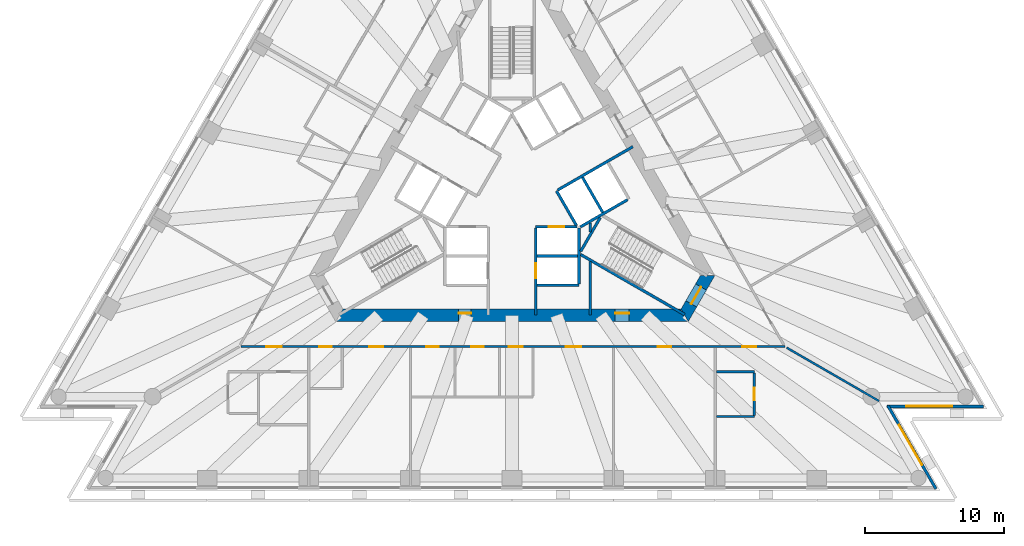
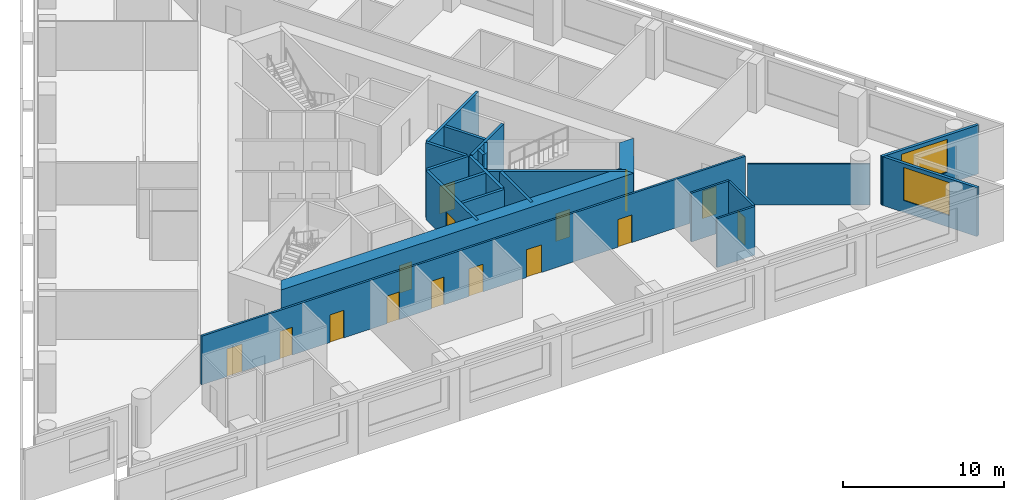
# One storey, part 5 of 11: 22 walls, 15 doors, 2 windows, 17 openings.
"""IFC4 building model written with IfcOpenShell, lengths in metres."""

import ifcopenshell
import ifcopenshell.guid

model = None  # the IFC model being written
_history = None  # IfcOwnerHistory: only IFC2X3 demands one
_inside = {}  # id of a spatial element -> (the spatial element, [elements in it])
_under = {}  # id of a project, library or spatial element -> (it, [spatial elements below it])
_declared = {}  # id of a project -> (the project, [libraries it declares])
_typed = {}  # id of a type object -> (the type object, [elements of that type])
_made_of = {}  # id of a material, layer set ... -> (it, [elements and type objects made of it])


def new_model(schema):
    """Start an empty IFC model of exactly this schema.

    Asked for "IFC4X3", IfcOpenShell would pick the latest addendum, in which some entities
    have other attributes; the version numbers below select the first issue.
    IFC2X3 requires an IfcOwnerHistory on every rooted entity: one is made here for all.
    """
    global model, _history
    if schema == "IFC4X3":
        model = ifcopenshell.file(schema_version=(4, 3, 0, 0))
    else:
        model = ifcopenshell.file(schema=schema)
    _inside.clear()
    _under.clear()
    _declared.clear()
    _typed.clear()
    _made_of.clear()
    _history = None
    if model.schema == "IFC2X3":
        org = make("IfcOrganization", Name="unknown")
        user = make(
            "IfcPersonAndOrganization",
            ThePerson=make("IfcPerson", FamilyName="unknown"),
            TheOrganization=org,
        )
        app = make(
            "IfcApplication",
            ApplicationDeveloper=org,
            Version="unknown",
            ApplicationFullName="unknown",
            ApplicationIdentifier="unknown",
        )
        _history = make(
            "IfcOwnerHistory",
            OwningUser=user,
            OwningApplication=app,
            ChangeAction="ADDED",
            CreationDate=0,
        )
    return model


def make(cls, **values):
    """One entity of the class cls with the attributes given. An attribute that is None is left unset."""
    return model.create_entity(
        cls, **{name: value for name, value in values.items() if value is not None}
    )


def rooted(cls, **values):
    """An entity with a GlobalId (a new one), such as an element, a storey or a relation."""
    return make(cls, GlobalId=ifcopenshell.guid.new(), OwnerHistory=_history, **values)


def si_unit(unit_type, name, prefix=None):
    """IfcSIUnit, for example si_unit("LENGTHUNIT", "METRE", prefix="MILLI")."""
    return make("IfcSIUnit", UnitType=unit_type, Prefix=prefix, Name=name)


def assignment(units):
    """IfcUnitAssignment: the units of a project."""
    return None if units is None else make("IfcUnitAssignment", Units=units)


def point(xyz):
    """IfcCartesianPoint."""
    return None if xyz is None else make("IfcCartesianPoint", Coordinates=xyz)


def direction(xyz):
    """IfcDirection."""
    return None if xyz is None else make("IfcDirection", DirectionRatios=xyz)


def frame(location, z_axis=None, x_axis=None):
    """IfcAxis2Placement3D, a coordinate frame: its origin and axes. An axis left out is left unset."""
    return make(
        "IfcAxis2Placement3D",
        Location=point(location),
        Axis=direction(z_axis),
        RefDirection=direction(x_axis),
    )


def frame_2d(location, x_axis=None):
    """IfcAxis2Placement2D, a coordinate frame in the plane: its origin and x axis."""
    return make(
        "IfcAxis2Placement2D", Location=point(location), RefDirection=direction(x_axis)
    )


def origin():
    """The frame at (0, 0, 0) with its axes left unset."""
    return frame((0.0, 0.0, 0.0))


def place(relative_to, where):
    """IfcLocalPlacement: puts the frame where relative to a parent placement (None: the world)."""
    return make(
        "IfcLocalPlacement", PlacementRelTo=relative_to, RelativePlacement=where
    )


def context(
    kind, dimensions, precision=None, world=None, true_north=None, identifier=None
):
    """IfcGeometricRepresentationContext, for example the 3D "Model" context."""
    return make(
        "IfcGeometricRepresentationContext",
        ContextIdentifier=identifier,
        ContextType=kind,
        CoordinateSpaceDimension=dimensions,
        Precision=precision,
        WorldCoordinateSystem=world,
        TrueNorth=true_north,
    )


def subcontext(parent, identifier, kind, view, scale=None):
    """IfcGeometricRepresentationSubContext, for example "Body" below "Model"."""
    return make(
        "IfcGeometricRepresentationSubContext",
        ContextIdentifier=identifier,
        ContextType=kind,
        ParentContext=parent,
        TargetScale=scale,
        TargetView=view,
    )


def project(units=None, contexts=None):
    """IfcProject with its units and contexts."""
    return rooted(
        "IfcProject",
        Name="project",
        RepresentationContexts=contexts,
        UnitsInContext=assignment(units),
    )


def spatial(cls, under=None, at=None, **own):
    """A site, building, storey or space (cls), placed at a placement, below another one or the project."""
    s = rooted(cls, ObjectPlacement=at, **own)
    if under is not None:
        _under.setdefault(under.id(), (under, []))[1].append(s)
    return s


def polyline(points):
    """IfcPolyline through the points."""
    return make("IfcPolyline", Points=[point(p) for p in points])


def profile(cls, at=None, kind="AREA", **sizes):
    """A parametric profile (cls). Its sizes go by their IFC names, for example OverallWidth=200.0."""
    return make(cls, ProfileType=kind, Position=at, **sizes)


def rectangle(**sizes):
    """IfcRectangleProfileDef."""
    return profile("IfcRectangleProfileDef", **sizes)


def outline(outer, holes=None, kind="AREA"):
    """IfcArbitraryClosedProfileDef: a profile drawn as a closed curve; with holes, ...WithVoids."""
    if holes is None:
        return make("IfcArbitraryClosedProfileDef", ProfileType=kind, OuterCurve=outer)
    return make(
        "IfcArbitraryProfileDefWithVoids",
        ProfileType=kind,
        OuterCurve=outer,
        InnerCurves=holes,
    )


def extrude(swept, where, along, depth):
    """IfcExtrudedAreaSolid: the profile swept, set in the frame where, extruded along a direction by depth."""
    return make(
        "IfcExtrudedAreaSolid",
        SweptArea=swept,
        Position=where,
        ExtrudedDirection=direction(along),
        Depth=depth,
    )


def shape(context_of_items, identifier, shape_type, items):
    """IfcShapeRepresentation: the items that make up one representation, for example the "Body"."""
    return make(
        "IfcShapeRepresentation",
        ContextOfItems=context_of_items,
        RepresentationIdentifier=identifier,
        RepresentationType=shape_type,
        Items=items,
    )


def material(Name=None, Category=None):
    """IfcMaterial."""
    return make("IfcMaterial", Name=Name, Category=Category)


def layer(
    of_material, thickness, ventilated=None, Name=None, Category=None, Priority=None
):
    """IfcMaterialLayer: one layer of a wall or slab, of a material (None: an air gap)."""
    return make(
        "IfcMaterialLayer",
        Material=of_material,
        LayerThickness=thickness,
        IsVentilated=ventilated,
        Name=Name,
        Category=Category,
        Priority=Priority,
    )


def layer_set(layers, Name=None):
    """IfcMaterialLayerSet."""
    return make("IfcMaterialLayerSet", MaterialLayers=layers, LayerSetName=Name)


def layer_usage(for_layer_set, set_direction, sense, offset, extent=None):
    """IfcMaterialLayerSetUsage: how a layer set lies in its element."""
    return make(
        "IfcMaterialLayerSetUsage",
        ForLayerSet=for_layer_set,
        LayerSetDirection=set_direction,
        DirectionSense=sense,
        OffsetFromReferenceLine=offset,
        ReferenceExtent=extent,
    )


def made_of(thing, what):
    """Note that an element or type object is made of a material, layer set ...; save() writes the relation."""
    if what is not None:
        _made_of.setdefault(what.id(), (what, []))[1].append(thing)
    return thing


def type_object(cls, material=None, **own):
    """A type object (cls), such as IfcWallType, which elements share."""
    return made_of(rooted(cls, **own), material)


def element(
    cls,
    number,
    at=None,
    inside=None,
    cuts=None,
    type_object=None,
    material=None,
    context=None,
    identifier="Body",
    shape_type=None,
    held_by="IfcProductDefinitionShape",
    body=None,
    shapes=None,
    **own,
):
    """One element of the class cls, such as IfcWall. Its Tag is "e" and its number.

    at: its placement. inside: the storey or other place that contains it. cuts: it is an
    opening in that element (IfcRelVoidsElement). A single representation is given by context,
    identifier, shape_type and body (its items); several are given by shapes. held_by: the class
    of the entity that holds the representations. save() writes the other relations.
    """
    e = rooted(cls, Tag="e%d" % number, ObjectPlacement=at, **own)
    if body is not None:
        shapes = [shape(context, identifier, shape_type, body)]
    if shapes is not None:
        e.Representation = make(held_by, Representations=shapes)
    if inside is not None:
        _inside.setdefault(inside.id(), (inside, []))[1].append(e)
    if cuts is not None:
        rooted(
            "IfcRelVoidsElement", RelatingBuildingElement=cuts, RelatedOpeningElement=e
        )
    if type_object is not None:
        _typed.setdefault(type_object.id(), (type_object, []))[1].append(e)
    return made_of(e, material)


def fill(opening, filler):
    """IfcRelFillsElement: the door or window that sits in an opening."""
    return rooted(
        "IfcRelFillsElement",
        RelatingOpeningElement=opening,
        RelatedBuildingElement=filler,
    )


def aggregate(whole, parts):
    """IfcRelAggregates: a whole, such as a stair, and the parts it consists of."""
    return rooted("IfcRelAggregates", RelatingObject=whole, RelatedObjects=parts)


def save(model, path):
    """Write the relations noted so far, then the file.

    IfcRelAggregates (storeys below a building ...), IfcRelContainedInSpatialStructure (elements
    in a storey), IfcRelDefinesByType, IfcRelAssociatesMaterial and IfcRelDeclares: one each for
    every whole, place, type object, material and project.
    """
    for whole, parts in _under.values():
        aggregate(whole, parts)
    for where, things in _inside.values():
        rooted(
            "IfcRelContainedInSpatialStructure",
            RelatedElements=things,
            RelatingStructure=where,
        )
    for kind, things in _typed.values():
        rooted("IfcRelDefinesByType", RelatedObjects=things, RelatingType=kind)
    for what, things in _made_of.values():
        rooted("IfcRelAssociatesMaterial", RelatedObjects=things, RelatingMaterial=what)
    for by, libraries in _declared.values():
        rooted("IfcRelDeclares", RelatingContext=by, RelatedDefinitions=libraries)
    model.write(path)


model = new_model("IFC4")

# Units and contexts
model_context = context("Model", 3, precision=1e-05, world=origin(), true_north=direction((0.0, 1.0)))
body_context = subcontext(model_context, "Body", "Model", "MODEL_VIEW")
ifc_project = project(units=[si_unit("LENGTHUNIT", "METRE"), si_unit("AREAUNIT", "SQUARE_METRE"), si_unit("VOLUMEUNIT", "CUBIC_METRE"), si_unit("PLANEANGLEUNIT", "RADIAN"), si_unit("MASSUNIT", "GRAM", prefix="KILO")], contexts=[model_context])

# Site, building, storey
site_placement = place(None, origin())
site = spatial("IfcSite", under=ifc_project, at=site_placement, CompositionType="ELEMENT")
building_placement = place(site_placement, origin())
building = spatial("IfcBuilding", under=site, at=building_placement, Name="Triada Interchange Tower", CompositionType="ELEMENT")
storey_placement = place(building_placement, frame((0.0, 0.0, 75.300048828125)))
storey = spatial("IfcBuildingStorey", under=building, at=storey_placement, Name="L16", CompositionType="ELEMENT", Elevation=75.300048828125)

# Walls
ifc_material_1 = material(Name="Concrete C30/37", Category="concrete")
ifc_layer_1 = layer(ifc_material_1, 0.199951171875)
ifc_layer_set_1 = layer_set([ifc_layer_1], Name="CORE WALL 200 EI 120")
wall_type_1 = type_object("IfcWallType", Name="CORE WALL 200 EI 120", PredefinedType="SOLIDWALL", material=ifc_layer_set_1)
wall_1_placement = place(storey_placement, frame((1.800048828125, -4.800048828125, 0.0), z_axis=(0.0, 0.0, 1.0), x_axis=(1.0, 0.0, 0.0)))
element("IfcWall", 1, at=wall_1_placement, inside=storey, type_object=wall_type_1, Name="Wall L15 55", PredefinedType="SOLIDWALL", context=body_context, shape_type="SweptSolid", body=[
    extrude(rectangle(XDim=2.89990234375, YDim=0.199951171875, at=frame_2d((1.449951171875, 0.0))), origin(), (0.0, 0.0, 1.0), 3.699951171875),
])
wall_2_placement = place(storey_placement, frame((1.800048828125, -6.89990234375, 0.0), z_axis=(0.0, 0.0, 1.0), x_axis=(1.0, 0.0, 0.0)))
element("IfcWall", 2, at=wall_2_placement, inside=storey, type_object=wall_type_1, Name="Wall L15 58", PredefinedType="SOLIDWALL", context=body_context, shape_type="SweptSolid", body=[
    extrude(rectangle(XDim=3.0, YDim=0.199951171875, at=frame_2d((1.5, 0.0))), origin(), (0.0, 0.0, 1.0), 3.699951171875),
])

# Wall, opening, door
wall_3_placement = place(storey_placement, frame((1.702880859375, -2.699951171875, 0.0), z_axis=(0.0, 0.0, 1.0), x_axis=(1.0, 0.0, 0.0)))
wall_3 = element("IfcWall", 3, at=wall_3_placement, inside=storey, type_object=wall_type_1, Name="Wall L15 61", PredefinedType="SOLIDWALL", context=body_context, shape_type="SweptSolid", body=[
    extrude(rectangle(XDim=2.97314453125, YDim=0.199951171875, at=frame_2d((1.486572265625, 0.0))), origin(), (0.0, 0.0, 1.0), 3.699951171875),
])
opening_1_placement = place(wall_3_placement, frame((0.93603515625, 0.0, 0.0)))
opening_1 = element("IfcOpeningElement", 4, at=opening_1_placement, cuts=wall_3, Name="Opening LD-LR1", PredefinedType="OPENING", context=body_context, shape_type="SweptSolid", body=[
    extrude(rectangle(XDim=1.10009765625, YDim=2.10009765625, at=frame_2d((0.550048828125, 1.050048828125))), frame((0.0, 0.10986328125, 0.0), z_axis=(0.0, -1.0, 0.0), x_axis=(1.0, 0.0, 0.0)), (0.0, 0.0, 1.0), 0.219970703125),
])
ifc_material_2 = material(Name="Steel S235 door leaf", Category="steel")
door_type_1 = type_object("IfcDoorType", Name="LIFT LANDING DOOR 1100 EI 120", OperationType="SLIDING_TO_LEFT", PredefinedType="DOOR", material=ifc_material_2)
door_1_placement = place(opening_1_placement, origin())
door_1 = element("IfcDoor", 5, at=door_1_placement, inside=storey, type_object=door_type_1, Name="LR1 landing door L16", OperationType="SLIDING_TO_LEFT", OverallHeight=2.10009765625, OverallWidth=1.10009765625, PredefinedType="DOOR", context=body_context, shape_type="SweptSolid", body=[
    extrude(rectangle(XDim=1.10009765625, YDim=2.10009765625, at=frame_2d((0.550048828125, 1.050048828125))), frame((0.0, 0.02490234375, 0.0), z_axis=(0.0, -1.0, 0.0), x_axis=(1.0, 0.0, 0.0)), (0.0, 0.0, 1.0), 0.050048828125),
])
fill(opening_1, door_1)

# Wall
wall_4_placement = place(storey_placement, frame((3.18994140625, -0.125, 0.0), z_axis=(0.0, 0.0, 1.0), x_axis=(0.499988658015, -0.866031951983, 0.0)))
element("IfcWall", 6, at=wall_4_placement, inside=storey, type_object=wall_type_1, Name="Wall L15 64", PredefinedType="SOLIDWALL", context=body_context, shape_type="SweptSolid", body=[
    extrude(rectangle(XDim=2.85791015625, YDim=0.199951171875, at=frame_2d((1.428955078125, 0.0))), origin(), (0.0, 0.0, 1.0), 3.699951171875),
])

# Wall, opening, door
wall_5_placement = place(storey_placement, frame((1.699951171875, -9.030029296875, 0.0), z_axis=(0.0, 0.0, 1.0), x_axis=(0.0, 1.0, 0.0)))
wall_5 = element("IfcWall", 7, at=wall_5_placement, inside=storey, type_object=wall_type_1, Name="Wall L15 66", PredefinedType="SOLIDWALL", context=body_context, shape_type="SweptSolid", body=[
    extrude(rectangle(XDim=6.22705078125, YDim=0.199951171875, at=frame_2d((3.113525390625, 0.0))), origin(), (0.0, 0.0, 1.0), 3.699951171875),
])
opening_2_placement = place(wall_5_placement, frame((2.6298828125, 0.0, 0.0)))
opening_2 = element("IfcOpeningElement", 8, at=opening_2_placement, cuts=wall_5, Name="Opening LD-LR2", PredefinedType="OPENING", context=body_context, shape_type="SweptSolid", body=[
    extrude(rectangle(XDim=1.10009765625, YDim=2.10009765625, at=frame_2d((0.550048828125, 1.050048828125))), frame((0.0, 0.10986328125, 0.0), z_axis=(0.0, -1.0, 0.0), x_axis=(1.0, 0.0, 0.0)), (0.0, 0.0, 1.0), 0.219970703125),
])
door_2_placement = place(opening_2_placement, origin())
door_2 = element("IfcDoor", 9, at=door_2_placement, inside=storey, type_object=door_type_1, Name="LR2 landing door L16", OperationType="SLIDING_TO_LEFT", OverallHeight=2.10009765625, OverallWidth=1.10009765625, PredefinedType="DOOR", context=body_context, shape_type="SweptSolid", body=[
    extrude(rectangle(XDim=1.10009765625, YDim=2.10009765625, at=frame_2d((0.550048828125, 1.050048828125))), frame((0.0, 0.02490234375, 0.0), z_axis=(0.0, -1.0, 0.0), x_axis=(1.0, 0.0, 0.0)), (0.0, 0.0, 1.0), 0.050048828125),
])
fill(opening_2, door_2)

# Walls
wall_6_placement = place(storey_placement, frame((4.800048828125, -6.800048828125, 0.0), z_axis=(0.0, 0.0, 1.0), x_axis=(0.0, 1.0, 0.0)))
element("IfcWall", 10, at=wall_6_placement, inside=storey, type_object=wall_type_1, Name="Wall L15 67", PredefinedType="SOLIDWALL", context=body_context, shape_type="SweptSolid", body=[
    extrude(rectangle(XDim=4.029052734375, YDim=0.199951171875, at=frame_2d((2.0146484375, 0.0))), origin(), (0.0, 0.0, 1.0), 3.699951171875),
])
wall_7_placement = place(storey_placement, frame((3.278076171875, -0.071044921875, 0.0), z_axis=(0.0, 0.0, 1.0), x_axis=(0.865953757655, 0.500124074208, 0.0)))
element("IfcWall", 11, at=wall_7_placement, inside=storey, type_object=wall_type_1, Name="Wall L15 68", PredefinedType="SOLIDWALL", context=body_context, shape_type="SweptSolid", body=[
    extrude(rectangle(XDim=6.2265625, YDim=0.199951171875, at=frame_2d((3.11328125, 0.0))), origin(), (0.0, 0.0, 1.0), 3.699951171875),
])
wall_8_placement = place(storey_placement, frame((5.056884765625, 0.841064453125, 0.0), z_axis=(0.0, 0.0, 1.0), x_axis=(0.50012328804, -0.865954211699, 0.0)))
element("IfcWall", 12, at=wall_8_placement, inside=storey, type_object=wall_type_1, Name="Wall L15 72", PredefinedType="SOLIDWALL", context=body_context, shape_type="SweptSolid", body=[
    extrude(rectangle(XDim=2.899658203125, YDim=0.199951171875, at=frame_2d((1.44970703125, 0.0))), origin(), (0.0, 0.0, 1.0), 3.699951171875),
])
wall_9_placement = place(storey_placement, frame((4.89990234375, -2.714111328125, 0.0), z_axis=(0.0, 0.0, 1.0), x_axis=(0.865992350556, 0.500057245502, 0.0)))
element("IfcWall", 13, at=wall_9_placement, inside=storey, type_object=wall_type_1, Name="Wall L15 73", PredefinedType="SOLIDWALL", context=body_context, shape_type="SweptSolid", body=[
    extrude(rectangle(XDim=3.91357421875, YDim=0.199951171875, at=frame_2d((1.956787109375, 0.0))), origin(), (0.0, 0.0, 1.0), 3.699951171875),
])
ifc_layer_2 = layer(ifc_material_1, 0.199951171875)
ifc_layer_set_2 = layer_set([ifc_layer_2], Name="CORE WALL 200 EI 90")
wall_type_2 = type_object("IfcWallType", Name="CORE WALL 200 EI 90", PredefinedType="SOLIDWALL", material=ifc_layer_set_2)
wall_10_placement = place(storey_placement, frame((5.612060546875, -9.030029296875, 0.0), z_axis=(0.0, 0.0, 1.0), x_axis=(0.0, 1.0, 0.0)))
element("IfcWall", 14, at=wall_10_placement, inside=storey, type_object=wall_type_2, Name="Wall L15 91", PredefinedType="SOLIDWALL", context=body_context, shape_type="SweptSolid", body=[
    extrude(rectangle(XDim=3.8271484375, YDim=0.199951171875, at=frame_2d((1.91357421875, 0.0))), origin(), (0.0, 0.0, 1.0), 3.699951171875),
])
wall_11_placement = place(storey_placement, frame((5.612060546875, -3.080078125, 0.0), z_axis=(0.0, 0.0, 1.0), x_axis=(0.0, 1.0, 0.0)))
element("IfcWall", 15, at=wall_11_placement, inside=storey, type_object=wall_type_2, Name="Wall L15 92", PredefinedType="SOLIDWALL", context=body_context, shape_type="SweptSolid", body=[
    extrude(rectangle(XDim=0.662109375, YDim=0.199951171875, at=frame_2d((0.3310546875, 0.0))), origin(), (0.0, 0.0, 1.0), 3.699951171875),
])
ifc_layer_3 = layer(ifc_material_1, 0.199951171875)
ifc_layer_set_3 = layer_set([ifc_layer_3], Name="CORE WALL 200 REI 240")
wall_type_3 = type_object("IfcWallType", Name="CORE WALL 200 REI 240", PredefinedType="SOLIDWALL", material=ifc_layer_set_3)
wall_12_placement = place(storey_placement, frame((4.928955078125, -4.693115234375, 0.0), z_axis=(0.0, 0.0, 1.0), x_axis=(0.866010975815, -0.500024989144, 0.0)))
element("IfcWall", 16, at=wall_12_placement, inside=storey, type_object=wall_type_3, Name="Wall L15 99", PredefinedType="SOLIDWALL", context=body_context, shape_type="SweptSolid", body=[
    extrude(rectangle(XDim=8.615234375, YDim=0.199951171875, at=frame_2d((4.3076171875, 0.0))), origin(), (0.0, 0.0, 1.0), 3.699951171875),
])
wall_13_placement = place(storey_placement, frame((4.928955078125, -4.4619140625, 0.0), z_axis=(0.0, 0.0, 1.0), x_axis=(0.500200581029, 0.865909567298, 0.0)))
element("IfcWall", 17, at=wall_13_placement, inside=storey, type_object=wall_type_3, Name="Wall L15 100", PredefinedType="SOLIDWALL", context=body_context, shape_type="SweptSolid", body=[
    extrude(rectangle(XDim=2.799072265625, YDim=0.199951171875, at=frame_2d((1.3994140625, 0.0))), origin(), (0.0, 0.0, 1.0), 3.699951171875),
])

# Wall, openings, doors
ifc_material_3 = material(Name="Concrete C70/85", Category="concrete")
ifc_layer_4 = layer(ifc_material_3, 0.89990234375)
ifc_layer_set_4 = layer_set([ifc_layer_4], Name="Core wall A 900")
wall_type_4 = type_object("IfcWallType", Name="Core wall A 900", PredefinedType="SHEAR", material=ifc_layer_set_4)
wall_14_placement = place(storey_placement, frame((-12.384033203125, -9.050048828125, -0.300048828125), z_axis=(0.0, 0.0, 1.0), x_axis=(1.0, 0.0, 0.0)))
wall_14 = element("IfcWall", 18, at=wall_14_placement, inside=storey, type_object=wall_type_4, Name="Core wall WA04 L16", PredefinedType="SHEAR", context=body_context, shape_type="SweptSolid", body=[
    extrude(outline(polyline([(-0.260009765625, -0.449951171875), (1.685302734375, -0.449951171875), (3.63037109375, -0.449951171875), (5.57568359375, -0.449951171875), (7.52099609375, -0.449951171875), (9.466064453125, -0.449951171875), (11.411376953125, -0.449951171875), (13.356689453125, -0.449951171875), (15.302001953125, -0.449951171875), (17.2470703125, -0.449951171875), (19.1923828125, -0.449951171875), (21.1376953125, -0.449951171875), (23.082763671875, -0.449951171875), (25.028076171875, -0.449951171875), (24.508056640625, 0.449951171875), (22.642822265625, 0.449951171875), (20.777587890625, 0.449951171875), (18.912353515625, 0.449951171875), (17.047119140625, 0.449951171875), (15.181884765625, 0.449951171875), (13.316650390625, 0.449951171875), (11.451416015625, 0.449951171875), (9.586181640625, 0.449951171875), (7.720947265625, 0.449951171875), (5.855712890625, 0.449951171875), (3.990478515625, 0.449951171875), (2.125244140625, 0.449951171875), (0.260009765625, 0.449951171875), (-0.260009765625, -0.449951171875)])), origin(), (0.0, 0.0, 1.0), 4.0),
])
opening_3_placement = place(wall_14_placement, frame((8.548095703125, 0.0, 0.300048828125)))
opening_3 = element("IfcOpeningElement", 19, at=opening_3_placement, cuts=wall_14, Name="Opening D15-48", PredefinedType="OPENING", context=body_context, shape_type="SweptSolid", body=[
    extrude(rectangle(XDim=0.89990234375, YDim=2.10009765625, at=frame_2d((0.449951171875, 1.050048828125))), frame((0.0, 0.4599609375, 0.0), z_axis=(0.0, -1.0, 0.0), x_axis=(1.0, 0.0, 0.0)), (0.0, 0.0, 1.0), 0.919921875),
])
opening_4_placement = place(wall_14_placement, frame((19.7880859375, 0.0, 0.300048828125)))
opening_4 = element("IfcOpeningElement", 20, at=opening_4_placement, cuts=wall_14, Name="Opening D15-49", PredefinedType="OPENING", context=body_context, shape_type="SweptSolid", body=[
    extrude(rectangle(XDim=1.0, YDim=2.10009765625, at=frame_2d((0.5, 1.050048828125))), frame((0.0, 0.4599609375, 0.0), z_axis=(0.0, -1.0, 0.0), x_axis=(1.0, 0.0, 0.0)), (0.0, 0.0, 1.0), 0.919921875),
])
door_type_2 = type_object("IfcDoorType", Name="SERVICE DOOR 1000 EI2 45-C5S200", OperationType="NOTDEFINED", PredefinedType="DOOR", material=ifc_material_2)
door_3_placement = place(opening_4_placement, origin())
door_3 = element("IfcDoor", 21, at=door_3_placement, inside=storey, type_object=door_type_2, Name="Door D15-49 L16", OperationType="SINGLE_SWING_LEFT", OverallHeight=2.10009765625, OverallWidth=1.0, PredefinedType="DOOR", context=body_context, shape_type="SweptSolid", body=[
    extrude(rectangle(XDim=1.0, YDim=2.10009765625, at=frame_2d((0.5, 1.050048828125))), frame((0.0, 0.1748046875, 0.0), z_axis=(0.0, -1.0, 0.0), x_axis=(1.0, 0.0, 0.0)), (0.0, 0.0, 1.0), 0.050048828125),
])
fill(opening_4, door_3)
door_type_3 = type_object("IfcDoorType", Name="SERVICE DOOR 900 EI2 45-C5S200", OperationType="NOTDEFINED", PredefinedType="DOOR", material=ifc_material_2)
door_4_placement = place(opening_3_placement, origin())
door_4 = element("IfcDoor", 22, at=door_4_placement, inside=storey, type_object=door_type_3, Name="Door D15-48 L16", OperationType="SINGLE_SWING_LEFT", OverallHeight=2.10009765625, OverallWidth=0.89990234375, PredefinedType="DOOR", context=body_context, shape_type="SweptSolid", body=[
    extrude(rectangle(XDim=0.89990234375, YDim=2.10009765625, at=frame_2d((0.449951171875, 1.050048828125))), frame((0.0, 0.1748046875, 0.0), z_axis=(0.0, -1.0, 0.0), x_axis=(1.0, 0.0, 0.0)), (0.0, 0.0, 1.0), 0.050048828125),
])
fill(opening_3, door_4)

# Wall, opening, door
wall_15_placement = place(storey_placement, frame((12.384033203125, -9.050048828125, -0.300048828125), z_axis=(0.0, 0.0, 1.0), x_axis=(0.500111984565, 0.865960739811, 0.0)))
wall_15 = element("IfcWall", 23, at=wall_15_placement, inside=storey, type_object=wall_type_4, Name="Core wall WA05 L16", PredefinedType="SHEAR", context=body_context, shape_type="SweptSolid", body=[
    extrude(outline(polyline([(-0.260009765625, -0.449951171875), (1.6455078125, -0.449462890625), (3.551025390625, -0.448974609375), (3.031005859375, 0.449951171875), (1.6455078125, 0.449951171875), (0.260009765625, 0.449951171875), (-0.260009765625, -0.449951171875)])), origin(), (0.0, 0.0, 1.0), 4.0),
])
opening_5_placement = place(wall_15_placement, frame((0.946044921875, 0.0, 0.300048828125)))
opening_5 = element("IfcOpeningElement", 24, at=opening_5_placement, cuts=wall_15, Name="Opening D15-46", PredefinedType="OPENING", context=body_context, shape_type="SweptSolid", body=[
    extrude(rectangle(XDim=1.39990234375, YDim=2.10009765625, at=frame_2d((0.699951171875, 1.050048828125))), frame((0.0, 0.4599609375, 0.0), z_axis=(0.0, -1.0, 0.0), x_axis=(1.0, 0.0, 0.0)), (0.0, 0.0, 1.0), 0.919921875),
])
door_type_4 = type_object("IfcDoorType", Name="STAIR DOOR 1400 EI2 90-C5S200", OperationType="DOUBLE_DOOR_SINGLE_SWING", PredefinedType="DOOR", material=ifc_material_2)
door_5_placement = place(opening_5_placement, origin())
door_5 = element("IfcDoor", 25, at=door_5_placement, inside=storey, type_object=door_type_4, Name="Door D15-46 L16", OperationType="DOUBLE_DOOR_SINGLE_SWING", OverallHeight=2.10009765625, OverallWidth=1.39990234375, PredefinedType="DOOR", context=body_context, shape_type="SweptSolid", body=[
    extrude(rectangle(XDim=1.39990234375, YDim=2.10009765625, at=frame_2d((0.699951171875, 1.050048828125))), frame((0.0, 0.02490234375, 0.0), z_axis=(0.0, -1.0, 0.0), x_axis=(1.0, 0.0, 0.0)), (0.0, 0.0, 1.0), 0.050048828125),
])
fill(opening_5, door_5)

# Wall, opening, window
ifc_material_4 = material(Name="Cement board")
ifc_layer_5 = layer(ifc_material_4, 0.02001953125, Name="Cement board cladding")
ifc_material_5 = material(Name="Sheathing board")
ifc_layer_6 = layer(ifc_material_5, 0.014892578125, Name="Sheathing board")
ifc_material_6 = material(Name="Mineral wool")
ifc_layer_7 = layer(ifc_material_6, 0.14990234375, Name="Mineral wool between steel studs")
ifc_material_7 = material(Name="Gypsum board")
ifc_layer_8 = layer(ifc_material_7, 0.014892578125, Name="Plasterboard lining")
ifc_layer_set_5 = layer_set([ifc_layer_5, ifc_layer_6, ifc_layer_7, ifc_layer_8], Name="External wall 200")
ifc_layer_usage = layer_usage(ifc_layer_set_5, "AXIS2", "POSITIVE", -0.10009765625)
wall_type_5 = type_object("IfcWallType", Name="External wall 200", PredefinedType="ELEMENTEDWALL", material=ifc_layer_set_5)
wall_16_placement = place(storey_placement, frame((30.407958984375, -21.5, 0.0), z_axis=(0.0, 0.0, 1.0), x_axis=(-0.499902111801, 0.866081912187, 0.0)))
wall_16 = element("IfcWall", 26, at=wall_16_placement, inside=storey, type_object=wall_type_5, material=ifc_layer_usage, Name="External wall L16 SE-1", PredefinedType="ELEMENTEDWALL", context=body_context, shape_type="SweptSolid", body=[
    extrude(rectangle(XDim=6.9013671875, YDim=0.199951171875, at=frame_2d((3.45068359375, 0.0))), origin(), (0.0, 0.0, 1.0), 3.699951171875),
])
opening_6_placement = place(wall_16_placement, frame((1.989990234375, 0.0, 0.89990234375)))
opening_6 = element("IfcOpeningElement", 27, at=opening_6_placement, cuts=wall_16, Name="Opening WA19", PredefinedType="OPENING", context=body_context, shape_type="SweptSolid", body=[
    extrude(rectangle(XDim=3.300048828125, YDim=2.5, at=frame_2d((1.64990234375, 1.25))), frame((0.0, 0.10986328125, 0.0), z_axis=(0.0, -1.0, 0.0), x_axis=(1.0, 0.0, 0.0)), (0.0, 0.0, 1.0), 0.219970703125),
])
ifc_material_8 = material(Name="Double glazed aluminium window", Category="aluminium")
window_type = type_object("IfcWindowType", Name="Ribbon window A pocket", PartitioningType="SINGLE_PANEL", PredefinedType="WINDOW", material=ifc_material_8)
window_1_placement = place(opening_6_placement, origin())
window_1 = element("IfcWindow", 28, at=window_1_placement, inside=storey, type_object=window_type, Name="Window L16 SE-1 1", OverallHeight=2.5, OverallWidth=3.300048828125, PartitioningType="SINGLE_PANEL", PredefinedType="WINDOW", context=body_context, shape_type="SweptSolid", body=[
    extrude(rectangle(XDim=3.300048828125, YDim=2.5, at=frame_2d((1.64990234375, 1.25))), frame((0.0, 0.030029296875, 0.0), z_axis=(0.0, -1.0, 0.0), x_axis=(1.0, 0.0, 0.0)), (0.0, 0.0, 1.0), 0.06005859375),
])
fill(opening_6, window_1)

wall_17_placement = place(storey_placement, frame((26.903076171875, -15.583984375, 0.0), z_axis=(0.0, 0.0, 1.0), x_axis=(1.0, 0.0, 0.0)))
wall_17 = element("IfcWall", 29, at=wall_17_placement, inside=storey, type_object=wall_type_5, material=ifc_layer_usage, Name="External wall L16 SE-2", PredefinedType="ELEMENTEDWALL", context=body_context, shape_type="SweptSolid", body=[
    extrude(rectangle(XDim=6.90087890625, YDim=0.199951171875, at=frame_2d((3.450439453125, 0.0))), origin(), (0.0, 0.0, 1.0), 3.699951171875),
])
opening_7_placement = place(wall_17_placement, frame((1.389892578125, 0.0, 0.89990234375)))
opening_7 = element("IfcOpeningElement", 30, at=opening_7_placement, cuts=wall_17, Name="Opening WA20", PredefinedType="OPENING", context=body_context, shape_type="SweptSolid", body=[
    extrude(rectangle(XDim=3.300048828125, YDim=2.5, at=frame_2d((1.64990234375, 1.25))), frame((0.0, 0.10986328125, 0.0), z_axis=(0.0, -1.0, 0.0), x_axis=(1.0, 0.0, 0.0)), (0.0, 0.0, 1.0), 0.219970703125),
])
window_2_placement = place(opening_7_placement, origin())
window_2 = element("IfcWindow", 31, at=window_2_placement, inside=storey, type_object=window_type, Name="Window L16 SE-2 1", OverallHeight=2.5, OverallWidth=3.300048828125, PartitioningType="SINGLE_PANEL", PredefinedType="WINDOW", context=body_context, shape_type="SweptSolid", body=[
    extrude(rectangle(XDim=3.300048828125, YDim=2.5, at=frame_2d((1.64990234375, 1.25))), frame((0.0, 0.030029296875, 0.0), z_axis=(0.0, -1.0, 0.0), x_axis=(1.0, 0.0, 0.0)), (0.0, 0.0, 1.0), 0.06005859375),
])
fill(opening_7, window_2)

# Wall, openings, doors
ifc_material_9 = material(Name="Gypsum board partition")
ifc_layer_9 = layer(ifc_material_9, 0.14990234375)
ifc_layer_set_6 = layer_set([ifc_layer_9], Name="PARTITION 150 EI 180")
wall_type_6 = type_object("IfcWallType", Name="PARTITION 150 EI 180", PredefinedType="PARTITIONING", material=ifc_layer_set_6)
wall_18_placement = place(storey_placement, frame((-19.422119140625, -11.300048828125, 0.0), z_axis=(0.0, 0.0, 1.0), x_axis=(1.0, 0.0, 0.0)))
wall_18 = element("IfcWall", 32, at=wall_18_placement, inside=storey, type_object=wall_type_6, Name="Wall L15 4", PredefinedType="PARTITIONING", context=body_context, shape_type="SweptSolid", body=[
    extrude(rectangle(XDim=38.994140625, YDim=0.14990234375, at=frame_2d((19.4970703125, 0.0))), origin(), (0.0, 0.0, 1.0), 3.699951171875),
])
opening_8_placement = place(wall_18_placement, frame((1.800048828125, 0.0, 0.0)))
opening_8 = element("IfcOpeningElement", 33, at=opening_8_placement, cuts=wall_18, Name="Opening D15-11", PredefinedType="OPENING", context=body_context, shape_type="SweptSolid", body=[
    extrude(rectangle(XDim=1.10009765625, YDim=2.10009765625, at=frame_2d((0.550048828125, 1.050048828125))), frame((0.0, 0.0849609375, 0.0), z_axis=(0.0, -1.0, 0.0), x_axis=(1.0, 0.0, 0.0)), (0.0, 0.0, 1.0), 0.169921875),
])
opening_9_placement = place(wall_18_placement, frame((9.197021484375, 0.0, 0.0)))
opening_9 = element("IfcOpeningElement", 34, at=opening_9_placement, cuts=wall_18, Name="Opening D15-14", PredefinedType="OPENING", context=body_context, shape_type="SweptSolid", body=[
    extrude(rectangle(XDim=1.0, YDim=2.10009765625, at=frame_2d((0.5, 1.050048828125))), frame((0.0, 0.0849609375, 0.0), z_axis=(0.0, -1.0, 0.0), x_axis=(1.0, 0.0, 0.0)), (0.0, 0.0, 1.0), 0.169921875),
])
opening_10_placement = place(wall_18_placement, frame((5.596923828125, 0.0, 0.0)))
opening_10 = element("IfcOpeningElement", 35, at=opening_10_placement, cuts=wall_18, Name="Opening D15-15", PredefinedType="OPENING", context=body_context, shape_type="SweptSolid", body=[
    extrude(rectangle(XDim=0.89990234375, YDim=2.10009765625, at=frame_2d((0.449951171875, 1.050048828125))), frame((0.0, 0.0849609375, 0.0), z_axis=(0.0, -1.0, 0.0), x_axis=(1.0, 0.0, 0.0)), (0.0, 0.0, 1.0), 0.169921875),
])
opening_11_placement = place(wall_18_placement, frame((23.283935546875, 0.0, 0.0)))
opening_11 = element("IfcOpeningElement", 36, at=opening_11_placement, cuts=wall_18, Name="Opening D15-16", PredefinedType="OPENING", context=body_context, shape_type="SweptSolid", body=[
    extrude(rectangle(XDim=1.10009765625, YDim=2.10009765625, at=frame_2d((0.550048828125, 1.050048828125))), frame((0.0, 0.0849609375, 0.0), z_axis=(0.0, -1.0, 0.0), x_axis=(1.0, 0.0, 0.0)), (0.0, 0.0, 1.0), 0.169921875),
])
opening_12_placement = place(wall_18_placement, frame((13.283935546875, 0.0, 0.0)))
opening_12 = element("IfcOpeningElement", 37, at=opening_12_placement, cuts=wall_18, Name="Opening D15-17", PredefinedType="OPENING", context=body_context, shape_type="SweptSolid", body=[
    extrude(rectangle(XDim=0.89990234375, YDim=2.10009765625, at=frame_2d((0.449951171875, 1.050048828125))), frame((0.0, 0.0849609375, 0.0), z_axis=(0.0, -1.0, 0.0), x_axis=(1.0, 0.0, 0.0)), (0.0, 0.0, 1.0), 0.169921875),
])
opening_13_placement = place(wall_18_placement, frame((16.48388671875, 0.0, 0.0)))
opening_13 = element("IfcOpeningElement", 38, at=opening_13_placement, cuts=wall_18, Name="Opening D15-18", PredefinedType="OPENING", context=body_context, shape_type="SweptSolid", body=[
    extrude(rectangle(XDim=0.89990234375, YDim=2.10009765625, at=frame_2d((0.449951171875, 1.050048828125))), frame((0.0, 0.0849609375, 0.0), z_axis=(0.0, -1.0, 0.0), x_axis=(1.0, 0.0, 0.0)), (0.0, 0.0, 1.0), 0.169921875),
])
opening_14_placement = place(wall_18_placement, frame((19.18408203125, 0.0, 0.0)))
opening_14 = element("IfcOpeningElement", 39, at=opening_14_placement, cuts=wall_18, Name="Opening D15-19", PredefinedType="OPENING", context=body_context, shape_type="SweptSolid", body=[
    extrude(rectangle(XDim=1.0, YDim=2.10009765625, at=frame_2d((0.5, 1.050048828125))), frame((0.0, 0.0849609375, 0.0), z_axis=(0.0, -1.0, 0.0), x_axis=(1.0, 0.0, 0.0)), (0.0, 0.0, 1.0), 0.169921875),
])
opening_15_placement = place(wall_18_placement, frame((29.860107421875, 0.0, 0.0)))
opening_15 = element("IfcOpeningElement", 40, at=opening_15_placement, cuts=wall_18, Name="Opening D15-20", PredefinedType="OPENING", context=body_context, shape_type="SweptSolid", body=[
    extrude(rectangle(XDim=1.0, YDim=2.10009765625, at=frame_2d((0.5, 1.050048828125))), frame((0.0, 0.0849609375, 0.0), z_axis=(0.0, -1.0, 0.0), x_axis=(1.0, 0.0, 0.0)), (0.0, 0.0, 1.0), 0.169921875),
])
opening_16_placement = place(wall_18_placement, frame((35.947021484375, 0.0, 0.0)))
opening_16 = element("IfcOpeningElement", 41, at=opening_16_placement, cuts=wall_18, Name="Opening D15-21", PredefinedType="OPENING", context=body_context, shape_type="SweptSolid", body=[
    extrude(rectangle(XDim=1.0, YDim=2.10009765625, at=frame_2d((0.5, 1.050048828125))), frame((0.0, 0.0849609375, 0.0), z_axis=(0.0, -1.0, 0.0), x_axis=(1.0, 0.0, 0.0)), (0.0, 0.0, 1.0), 0.169921875),
])
door_type_5 = type_object("IfcDoorType", Name="ROOM DOOR 1000 EI2 90-C5S200", OperationType="NOTDEFINED", PredefinedType="DOOR", material=ifc_material_2)
door_6_placement = place(opening_9_placement, origin())
door_6 = element("IfcDoor", 42, at=door_6_placement, inside=storey, type_object=door_type_5, Name="Door D15-14 L16", OperationType="SINGLE_SWING_RIGHT", OverallHeight=2.10009765625, OverallWidth=1.0, PredefinedType="DOOR", context=body_context, shape_type="SweptSolid", body=[
    extrude(rectangle(XDim=1.0, YDim=2.10009765625, at=frame_2d((0.5, 1.050048828125))), frame((0.0, 0.02490234375, 0.0), z_axis=(0.0, -1.0, 0.0), x_axis=(1.0, 0.0, 0.0)), (0.0, 0.0, 1.0), 0.050048828125),
])
fill(opening_9, door_6)
door_7_placement = place(opening_14_placement, origin())
door_7 = element("IfcDoor", 43, at=door_7_placement, inside=storey, type_object=door_type_5, Name="Door D15-19 L16", OperationType="SINGLE_SWING_LEFT", OverallHeight=2.10009765625, OverallWidth=1.0, PredefinedType="DOOR", context=body_context, shape_type="SweptSolid", body=[
    extrude(rectangle(XDim=1.0, YDim=2.10009765625, at=frame_2d((0.5, 1.050048828125))), frame((0.0, 0.02490234375, 0.0), z_axis=(0.0, -1.0, 0.0), x_axis=(1.0, 0.0, 0.0)), (0.0, 0.0, 1.0), 0.050048828125),
])
fill(opening_14, door_7)
door_8_placement = place(opening_15_placement, origin())
door_8 = element("IfcDoor", 44, at=door_8_placement, inside=storey, type_object=door_type_5, Name="Door D15-20 L16", OperationType="SINGLE_SWING_RIGHT", OverallHeight=2.10009765625, OverallWidth=1.0, PredefinedType="DOOR", context=body_context, shape_type="SweptSolid", body=[
    extrude(rectangle(XDim=1.0, YDim=2.10009765625, at=frame_2d((0.5, 1.050048828125))), frame((0.0, 0.02490234375, 0.0), z_axis=(0.0, -1.0, 0.0), x_axis=(1.0, 0.0, 0.0)), (0.0, 0.0, 1.0), 0.050048828125),
])
fill(opening_15, door_8)
door_9_placement = place(opening_16_placement, origin())
door_9 = element("IfcDoor", 45, at=door_9_placement, inside=storey, type_object=door_type_5, Name="Door D15-21 L16", OperationType="SINGLE_SWING_LEFT", OverallHeight=2.10009765625, OverallWidth=1.0, PredefinedType="DOOR", context=body_context, shape_type="SweptSolid", body=[
    extrude(rectangle(XDim=1.0, YDim=2.10009765625, at=frame_2d((0.5, 1.050048828125))), frame((0.0, 0.02490234375, 0.0), z_axis=(0.0, -1.0, 0.0), x_axis=(1.0, 0.0, 0.0)), (0.0, 0.0, 1.0), 0.050048828125),
])
fill(opening_16, door_9)
door_type_6 = type_object("IfcDoorType", Name="ROOM DOOR 900 EI2 90-C5S200", OperationType="NOTDEFINED", PredefinedType="DOOR", material=ifc_material_2)
door_10_placement = place(opening_12_placement, origin())
door_10 = element("IfcDoor", 46, at=door_10_placement, inside=storey, type_object=door_type_6, Name="Door D15-17 L16", OperationType="SINGLE_SWING_RIGHT", OverallHeight=2.10009765625, OverallWidth=0.89990234375, PredefinedType="DOOR", context=body_context, shape_type="SweptSolid", body=[
    extrude(rectangle(XDim=0.89990234375, YDim=2.10009765625, at=frame_2d((0.449951171875, 1.050048828125))), frame((0.0, 0.02490234375, 0.0), z_axis=(0.0, -1.0, 0.0), x_axis=(1.0, 0.0, 0.0)), (0.0, 0.0, 1.0), 0.050048828125),
])
fill(opening_12, door_10)
door_11_placement = place(opening_13_placement, origin())
door_11 = element("IfcDoor", 47, at=door_11_placement, inside=storey, type_object=door_type_6, Name="Door D15-18 L16", OperationType="SINGLE_SWING_RIGHT", OverallHeight=2.10009765625, OverallWidth=0.89990234375, PredefinedType="DOOR", context=body_context, shape_type="SweptSolid", body=[
    extrude(rectangle(XDim=0.89990234375, YDim=2.10009765625, at=frame_2d((0.449951171875, 1.050048828125))), frame((0.0, 0.02490234375, 0.0), z_axis=(0.0, -1.0, 0.0), x_axis=(1.0, 0.0, 0.0)), (0.0, 0.0, 1.0), 0.050048828125),
])
fill(opening_13, door_11)
door_type_7 = type_object("IfcDoorType", Name="SERVICE DOOR 900 EI2 90-C5S200", OperationType="NOTDEFINED", PredefinedType="DOOR", material=ifc_material_2)
door_12_placement = place(opening_10_placement, origin())
door_12 = element("IfcDoor", 48, at=door_12_placement, inside=storey, type_object=door_type_7, Name="Door D15-15 L16", OperationType="SINGLE_SWING_RIGHT", OverallHeight=2.10009765625, OverallWidth=0.89990234375, PredefinedType="DOOR", context=body_context, shape_type="SweptSolid", body=[
    extrude(rectangle(XDim=0.89990234375, YDim=2.10009765625, at=frame_2d((0.449951171875, 1.050048828125))), frame((0.0, 0.02490234375, 0.0), z_axis=(0.0, -1.0, 0.0), x_axis=(1.0, 0.0, 0.0)), (0.0, 0.0, 1.0), 0.050048828125),
])
fill(opening_10, door_12)
door_type_8 = type_object("IfcDoorType", Name="TENANCY ENTRANCE DOOR 1100 EI2 90-C5S200", OperationType="NOTDEFINED", PredefinedType="DOOR", material=ifc_material_2)
door_13_placement = place(opening_8_placement, origin())
door_13 = element("IfcDoor", 49, at=door_13_placement, inside=storey, type_object=door_type_8, Name="Door D15-11 L16", OperationType="SINGLE_SWING_RIGHT", OverallHeight=2.10009765625, OverallWidth=1.10009765625, PredefinedType="DOOR", context=body_context, shape_type="SweptSolid", body=[
    extrude(rectangle(XDim=1.10009765625, YDim=2.10009765625, at=frame_2d((0.550048828125, 1.050048828125))), frame((0.0, 0.02490234375, 0.0), z_axis=(0.0, -1.0, 0.0), x_axis=(1.0, 0.0, 0.0)), (0.0, 0.0, 1.0), 0.050048828125),
])
fill(opening_8, door_13)
door_14_placement = place(opening_11_placement, origin())
door_14 = element("IfcDoor", 50, at=door_14_placement, inside=storey, type_object=door_type_8, Name="Door D15-16 L16", OperationType="SINGLE_SWING_RIGHT", OverallHeight=2.10009765625, OverallWidth=1.10009765625, PredefinedType="DOOR", context=body_context, shape_type="SweptSolid", body=[
    extrude(rectangle(XDim=1.10009765625, YDim=2.10009765625, at=frame_2d((0.550048828125, 1.050048828125))), frame((0.0, 0.02490234375, 0.0), z_axis=(0.0, -1.0, 0.0), x_axis=(1.0, 0.0, 0.0)), (0.0, 0.0, 1.0), 0.050048828125),
])
fill(opening_11, door_14)

# Walls
wall_19_placement = place(storey_placement, frame((19.701904296875, -11.375, 0.0), z_axis=(0.0, 0.0, 1.0), x_axis=(0.866029632557, -0.499992675479, 0.0)))
element("IfcWall", 51, at=wall_19_placement, inside=storey, type_object=wall_type_6, Name="Wall L15 6", PredefinedType="PARTITIONING", context=body_context, shape_type="SweptSolid", body=[
    extrude(rectangle(XDim=7.63818359375, YDim=0.14990234375, at=frame_2d((3.819091796875, 0.0))), origin(), (0.0, 0.0, 1.0), 3.099853515625),
])
ifc_layer_10 = layer(ifc_material_9, 0.14990234375)
ifc_layer_set_7 = layer_set([ifc_layer_10], Name="PARTITION 150 EI 90")
wall_type_7 = type_object("IfcWallType", Name="PARTITION 150 EI 90", PredefinedType="PARTITIONING", material=ifc_layer_set_7)
for number, where, z_axis, x_axis, name in (
    (52, (14.64990234375, -13.10009765625, 0.0), (0.0, 0.0, 1.0), (1.0, 0.0, 0.0), "Wall L15 36"),
    (53, (14.64990234375, -16.300048828125, 0.0), (0.0, 0.0, 1.0), (1.0, 0.0, 0.0), "Wall L15 50"),
):
    element("IfcWall", number, at=place(storey_placement, frame(where, z_axis=z_axis, x_axis=x_axis)), inside=storey, type_object=wall_type_7, Name=name, PredefinedType="PARTITIONING", context=body_context, shape_type="SweptSolid", body=[
        extrude(rectangle(XDim=2.72509765625, YDim=0.14990234375, at=frame_2d((1.362548828125, 0.0))), origin(), (0.0, 0.0, 1.0), 3.699951171875),
    ])

# Wall, opening, door
wall_20_placement = place(storey_placement, frame((17.375, -16.22509765625, 0.0), z_axis=(0.0, 0.0, 1.0), x_axis=(0.0, 1.0, 0.0)))
wall_20 = element("IfcWall", 54, at=wall_20_placement, inside=storey, type_object=wall_type_7, Name="Wall L15 51", PredefinedType="PARTITIONING", context=body_context, shape_type="SweptSolid", body=[
    extrude(rectangle(XDim=3.050048828125, YDim=0.14990234375, at=frame_2d((1.52490234375, 0.0))), origin(), (0.0, 0.0, 1.0), 3.699951171875),
])
opening_17_placement = place(wall_20_placement, frame((1.074951171875, 0.0, 0.0)))
opening_17 = element("IfcOpeningElement", 55, at=opening_17_placement, cuts=wall_20, Name="Opening D15-22", PredefinedType="OPENING", context=body_context, shape_type="SweptSolid", body=[
    extrude(rectangle(XDim=0.89990234375, YDim=2.10009765625, at=frame_2d((0.449951171875, 1.050048828125))), frame((0.0, 0.0849609375, 0.0), z_axis=(0.0, -1.0, 0.0), x_axis=(1.0, 0.0, 0.0)), (0.0, 0.0, 1.0), 0.169921875),
])
door_type_9 = type_object("IfcDoorType", Name="ROOM DOOR 900 EI2 45-C5S200", OperationType="NOTDEFINED", PredefinedType="DOOR", material=ifc_material_2)
door_15_placement = place(opening_17_placement, origin())
door_15 = element("IfcDoor", 56, at=door_15_placement, inside=storey, type_object=door_type_9, Name="Door D15-22 L16", OperationType="SINGLE_SWING_RIGHT", OverallHeight=2.10009765625, OverallWidth=0.89990234375, PredefinedType="DOOR", context=body_context, shape_type="SweptSolid", body=[
    extrude(rectangle(XDim=0.89990234375, YDim=2.10009765625, at=frame_2d((0.449951171875, 1.050048828125))), frame((0.0, 0.02490234375, 0.0), z_axis=(0.0, -1.0, 0.0), x_axis=(1.0, 0.0, 0.0)), (0.0, 0.0, 1.0), 0.050048828125),
])
fill(opening_17, door_15)

save(model, "model.ifc")
